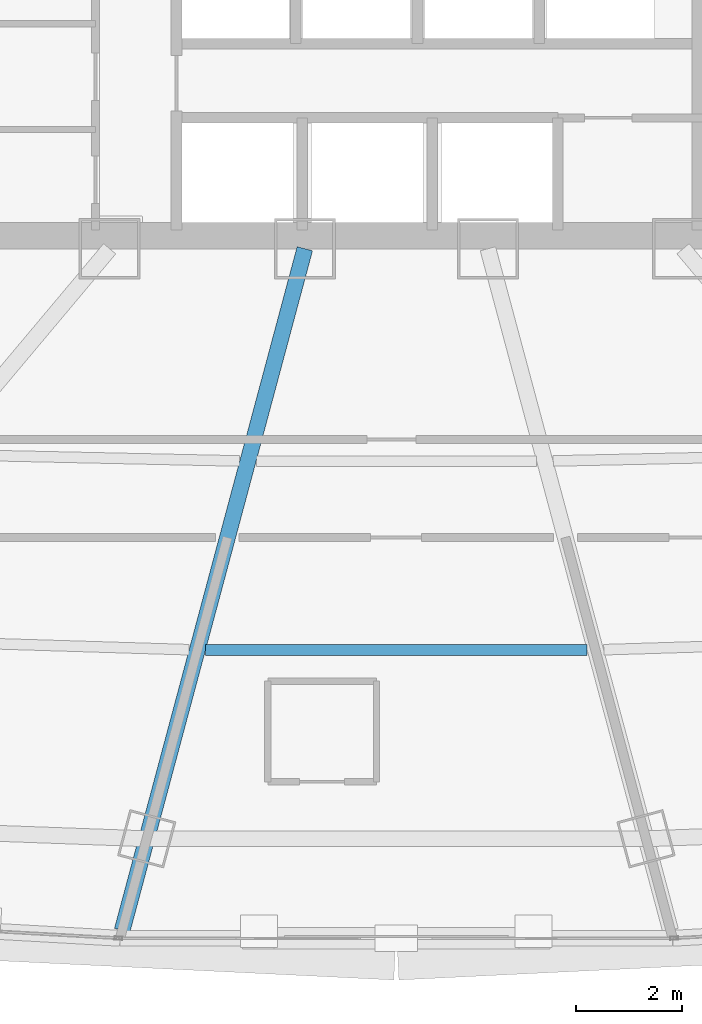
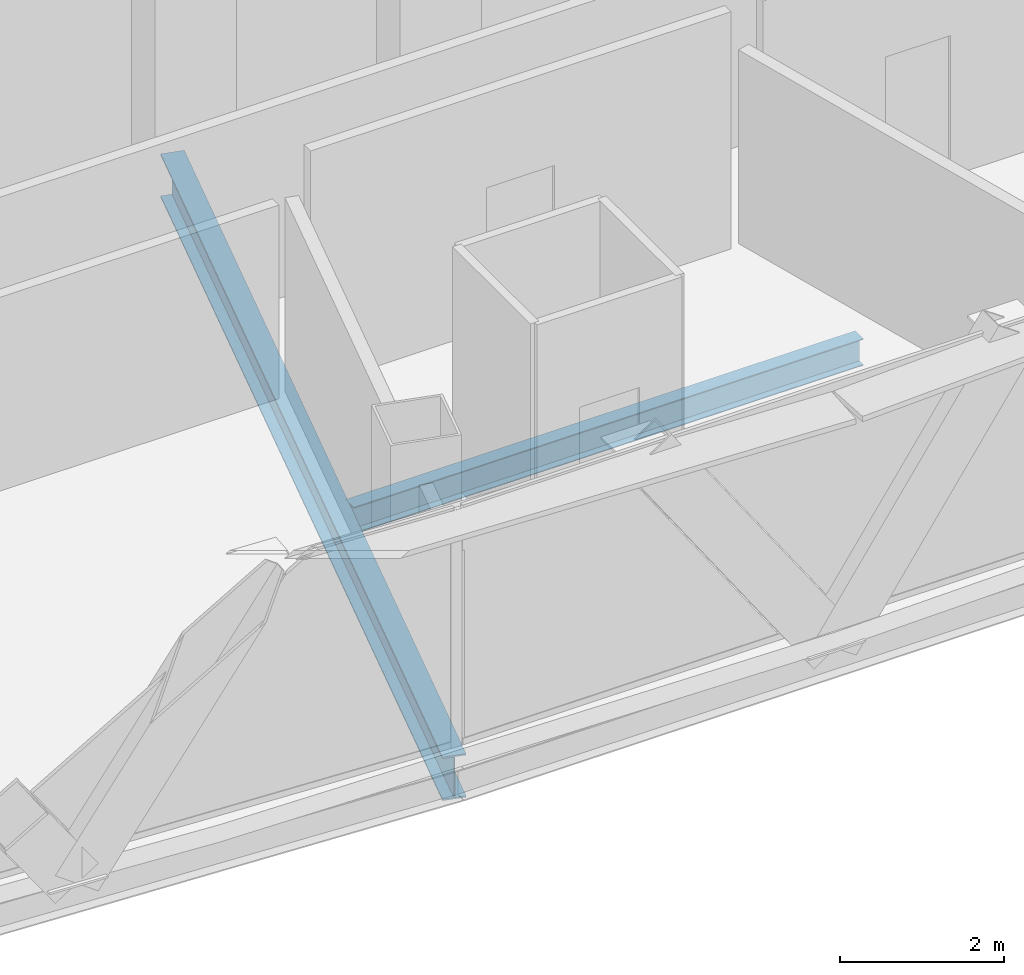
# One storey, part 11 of 37: 2 beams.
"""IFC4 building model written with IfcOpenShell, lengths in metres."""

from ifc_helpers import new_model, si_unit, direction, frame, origin, origin_2d, place, context, subcontext, project, spatial, i_section, extrude, source, transform, mapped, material, material_profile, profile_set, type_object, element, save


model = new_model("IFC4")

# Units and contexts
model_context = context("Model", 3, precision=1e-05, world=origin(), true_north=direction((0.0, 1.0)))
body_context = subcontext(model_context, "Body", "Model", "MODEL_VIEW")
ifc_project = project(units=[si_unit("LENGTHUNIT", "METRE"), si_unit("AREAUNIT", "SQUARE_METRE"), si_unit("VOLUMEUNIT", "CUBIC_METRE"), si_unit("PLANEANGLEUNIT", "RADIAN"), si_unit("MASSUNIT", "GRAM", prefix="KILO"), si_unit("THERMODYNAMICTEMPERATUREUNIT", "KELVIN"), si_unit("POWERUNIT", "WATT")], contexts=[model_context])

# Site, building, storey
site_placement = place(None, origin())
site = spatial("IfcSite", under=ifc_project, at=site_placement, CompositionType="ELEMENT")
building_placement = place(site_placement, origin())
building = spatial("IfcBuilding", under=site, at=building_placement, Name="Yunzhuo Pagoda Commons", CompositionType="ELEMENT")
storey_placement = place(building_placement, frame((0.0, 0.0, 199.9599609375)))
storey = spatial("IfcBuildingStorey", under=building, at=storey_placement, Name="L50", CompositionType="ELEMENT", Elevation=199.9599609375)

# Beams
ifc_material = material(Name="Structural steel Q355B", Category="steel")
ifc_material_profile_1 = material_profile(ifc_material, i_section(OverallWidth=0.199951171875, OverallDepth=0.39990234375, WebThickness=0.008056640625, FlangeThickness=0.012939453125, at=origin_2d()), Name="Structural steel Q355B")
ifc_profile_set_1 = profile_set([ifc_material_profile_1], Name="Structural steel Q355B")
beam_type_1 = type_object("IfcBeamType", Name="B-JS1 Joist HN 400x200x8x13", PredefinedType="JOIST", material=ifc_profile_set_1)
shared_shape_1 = source(origin(), body_context, "Body", "SweptSolid", [
    extrude(i_section(OverallWidth=0.199951171875, OverallDepth=0.39990234375, WebThickness=0.008056640625, FlangeThickness=0.012939453125, at=origin_2d()), origin(), (0.0, 0.0, 1.0), 7.197265625),
])
beam_1_placement = place(storey_placement, frame((44.4013671875, 19.676513671875, -0.4599609375), z_axis=(1.0, 0.0, 0.0), x_axis=(0.0, 1.0, 0.0)))
element("IfcBeam", 1, at=beam_1_placement, inside=storey, type_object=beam_type_1, Name="L50 composite ring joist 2.2", PredefinedType="JOIST", context=body_context, shape_type="MappedRepresentation", body=[
    mapped(shared_shape_1, transform((0.0, 0.0, 0.0), scale=1.0)),
])
ifc_material_profile_2 = material_profile(ifc_material, i_section(OverallWidth=0.300048828125, OverallDepth=0.64990234375, WebThickness=0.012939453125, FlangeThickness=0.02197265625, at=origin_2d()), Name="Structural steel Q355B")
ifc_profile_set_2 = profile_set([ifc_material_profile_2], Name="Structural steel Q355B")
beam_type_2 = type_object("IfcBeamType", Name="B-RG2 Beam HN 650x300x13x22", PredefinedType="BEAM", material=ifc_profile_set_2)
shared_shape_2 = source(origin(), body_context, "Body", "SweptSolid", [
    extrude(i_section(OverallWidth=0.300048828125, OverallDepth=0.64990234375, WebThickness=0.012939453125, FlangeThickness=0.02197265625, at=origin_2d()), origin(), (0.0, 0.0, 1.0), 13.320556640625),
])
beam_2_placement = place(storey_placement, frame((42.82421875, 14.38330078125, -0.5849609375), z_axis=(0.258828307635, 0.965923344353, 0.0), x_axis=(-0.965923344353, 0.258828307635, 0.0)))
element("IfcBeam", 2, at=beam_2_placement, inside=storey, type_object=beam_type_2, Name="L50 radial floor girder F1C2", PredefinedType="BEAM", context=body_context, shape_type="MappedRepresentation", body=[
    mapped(shared_shape_2, transform((0.0, 0.0, 0.0), scale=1.0)),
])

save(model, "model.ifc")
